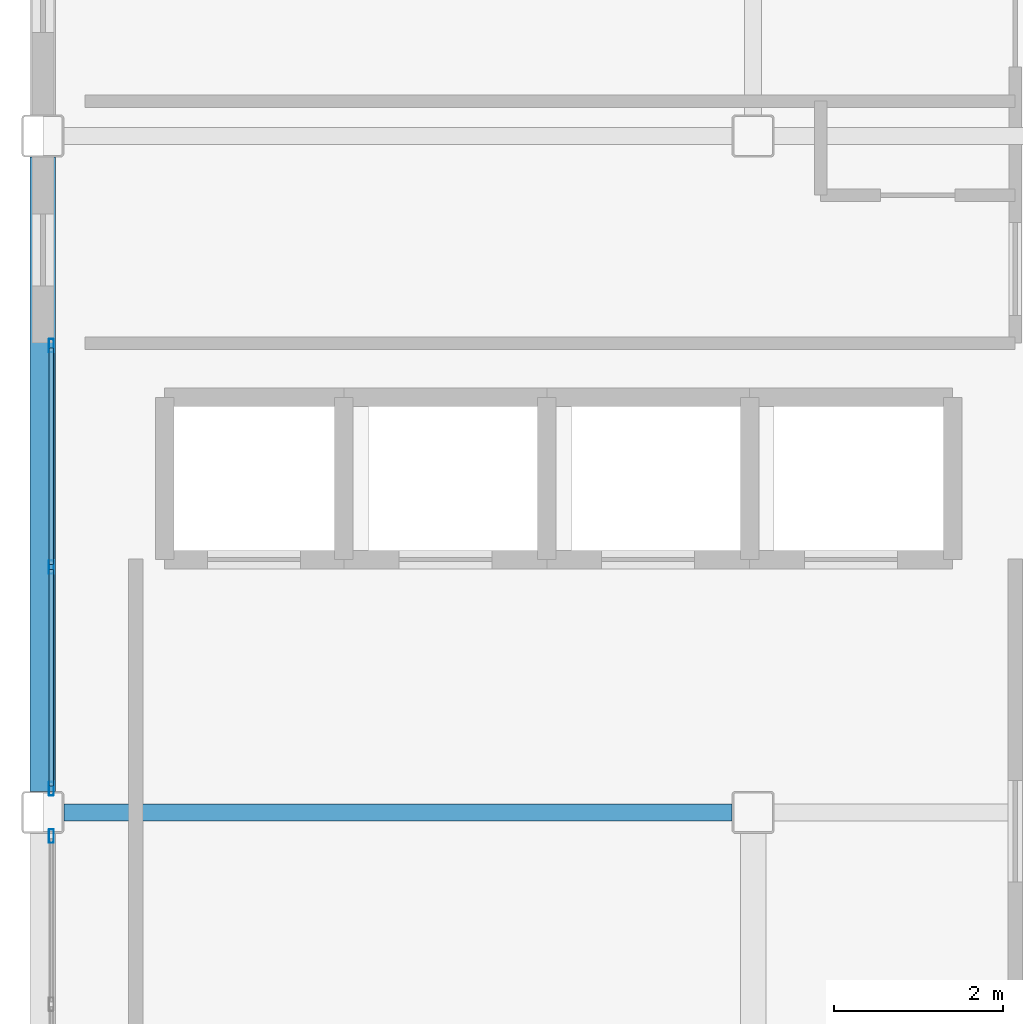
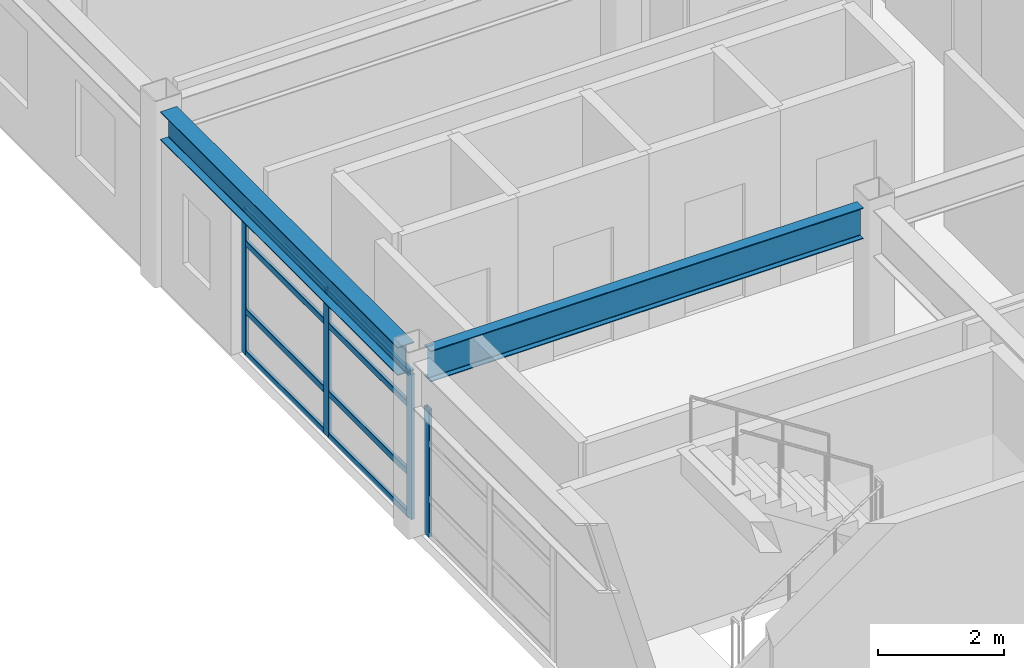
# One storey, part 14 of 33: 12 members, 2 beams, 2 elements without a shape of their own.
"""IFC4 building model written with IfcOpenShell, lengths in metres."""

from ifc_helpers import new_model, si_unit, direction, frame, origin, origin_2d, place, context, subcontext, project, spatial, hollow_rectangle, i_section, extrude, material, layer, layer_set, material_profile, profile_set, type_object, element, aggregate, save


model = new_model("IFC4")

# Units and contexts
model_context = context("Model", 3, precision=1e-05, world=origin(), true_north=direction((0.0, 1.0)))
body_context = subcontext(model_context, "Body", "Model", "MODEL_VIEW")
ifc_project = project(units=[si_unit("LENGTHUNIT", "METRE"), si_unit("AREAUNIT", "SQUARE_METRE"), si_unit("VOLUMEUNIT", "CUBIC_METRE"), si_unit("PLANEANGLEUNIT", "RADIAN"), si_unit("MASSUNIT", "GRAM", prefix="KILO")], contexts=[model_context])

# Site, building, storey
site_placement = place(None, origin())
site = spatial("IfcSite", under=ifc_project, at=site_placement, CompositionType="ELEMENT")
building_placement = place(site_placement, origin())
building = spatial("IfcBuilding", under=site, at=building_placement, Name="Kazehara Bluff Congress Hotel", CompositionType="ELEMENT")
storey_placement = place(building_placement, frame((0.0, 0.0, 39.0)))
storey = spatial("IfcBuildingStorey", under=building, at=storey_placement, Name="L09", CompositionType="ELEMENT", Elevation=39.0)

# Curtain wall, member
ifc_material_1 = material(Name="Anodised aluminium", Category="aluminium")
ifc_layer_1 = layer(ifc_material_1, 0.159912109375)
ifc_layer_set_1 = layer_set([ifc_layer_1], Name="Anodised aluminium")
curtain_wall_type_1 = type_object("IfcCurtainWallType", Name="TP-CW-191", PredefinedType="NOTDEFINED", material=ifc_layer_set_1)
curtain_wall_1_placement = place(storey_placement, origin())
curtain_wall_1 = element("IfcCurtainWall", 1, at=curtain_wall_1_placement, inside=storey, type_object=curtain_wall_type_1, Name="L09 curtain wall CW-191 CW-ENC-V5-L09-14380-5418", PredefinedType="NOTDEFINED")
ifc_material_2 = material(Name="Anodised aluminium", Category="aluminium")
ifc_material_profile_1 = material_profile(ifc_material_2, hollow_rectangle(XDim=0.06005859375, YDim=0.159912109375, WallThickness=0.00390625, InnerFilletRadius=0.00390625, OuterFilletRadius=0.008056640625, at=origin_2d()))
ifc_profile_set_1 = profile_set([ifc_material_profile_1], Name="Anodised aluminium")
member_type_1 = type_object("IfcMemberType", Name="TP-CWM-01", PredefinedType="MULLION", material=ifc_profile_set_1)
member_1_placement = place(storey_placement, frame((143.800048828125, 56.169921875, 0.0), z_axis=(0.0, 0.0, 1.0), x_axis=(-1.0, 0.0, 0.0)))
member_1 = element("IfcMember", 2, at=member_1_placement, type_object=member_type_1, Name="CW-191 mullion 3", PredefinedType="MULLION", context=body_context, shape_type="SweptSolid", body=[
    extrude(hollow_rectangle(XDim=0.06005859375, YDim=0.159912109375, WallThickness=0.00390625, InnerFilletRadius=0.00390625, OuterFilletRadius=0.008056640625, at=origin_2d()), origin(), (0.0, 0.0, 1.0), 2.455078125),
])
aggregate(curtain_wall_1, [member_1])

# Curtain wall, members
ifc_material_3 = material(Name="Anodised aluminium", Category="aluminium")
ifc_layer_2 = layer(ifc_material_3, 0.159912109375)
ifc_layer_set_2 = layer_set([ifc_layer_2], Name="Anodised aluminium")
curtain_wall_type_2 = type_object("IfcCurtainWallType", Name="TP-CW-192", PredefinedType="NOTDEFINED", material=ifc_layer_set_2)
curtain_wall_2_placement = place(storey_placement, origin())
curtain_wall_2 = element("IfcCurtainWall", 3, at=curtain_wall_2_placement, inside=storey, type_object=curtain_wall_type_2, Name="L09 curtain wall CW-192 CW-ENC-V5-L09-14380-5935", PredefinedType="NOTDEFINED")
member_2_placement = place(storey_placement, frame((143.800048828125, 56.72998046875, 0.0), z_axis=(0.0, 0.0, 1.0), x_axis=(-1.0, 0.0, 0.0)))
member_2 = element("IfcMember", 4, at=member_2_placement, type_object=member_type_1, Name="CW-192 mullion 1", PredefinedType="MULLION", context=body_context, shape_type="SweptSolid", body=[
    extrude(hollow_rectangle(XDim=0.06005859375, YDim=0.159912109375, WallThickness=0.00390625, InnerFilletRadius=0.00390625, OuterFilletRadius=0.008056640625, at=origin_2d()), origin(), (0.0, 0.0, 1.0), 2.804931640625),
])
member_3_placement = place(storey_placement, frame((143.800048828125, 59.35009765625, 0.0), z_axis=(0.0, 0.0, 1.0), x_axis=(-1.0, 0.0, 0.0)))
member_3 = element("IfcMember", 5, at=member_3_placement, type_object=member_type_1, Name="CW-192 mullion 2", PredefinedType="MULLION", context=body_context, shape_type="SweptSolid", body=[
    extrude(hollow_rectangle(XDim=0.06005859375, YDim=0.159912109375, WallThickness=0.00390625, InnerFilletRadius=0.00390625, OuterFilletRadius=0.008056640625, at=origin_2d()), origin(), (0.0, 0.0, 1.0), 2.804931640625),
])
member_4_placement = place(storey_placement, frame((143.800048828125, 61.969970703125, 0.0), z_axis=(0.0, 0.0, 1.0), x_axis=(-1.0, 0.0, 0.0)))
member_4 = element("IfcMember", 6, at=member_4_placement, type_object=member_type_1, Name="CW-192 mullion 3", PredefinedType="MULLION", context=body_context, shape_type="SweptSolid", body=[
    extrude(hollow_rectangle(XDim=0.06005859375, YDim=0.159912109375, WallThickness=0.00390625, InnerFilletRadius=0.00390625, OuterFilletRadius=0.008056640625, at=origin_2d()), origin(), (0.0, 0.0, 1.0), 2.804931640625),
])
ifc_material_4 = material(Name="Anodised aluminium", Category="aluminium")
ifc_material_profile_2 = material_profile(ifc_material_4, hollow_rectangle(XDim=0.06005859375, YDim=0.1201171875, WallThickness=0.00390625, InnerFilletRadius=0.00390625, OuterFilletRadius=0.008056640625, at=origin_2d()))
ifc_profile_set_2 = profile_set([ifc_material_profile_2], Name="Anodised aluminium")
member_type_2 = type_object("IfcMemberType", Name="TP-CWT-01", PredefinedType="USERDEFINED", material=ifc_profile_set_2)
member_5_placement = place(storey_placement, frame((143.800048828125, 56.760009765625, 0.030029296875), z_axis=(0.0, 1.0, 0.0), x_axis=(-1.0, 0.0, 0.0)))
member_5 = element("IfcMember", 7, at=member_5_placement, type_object=member_type_2, Name="CW-192 transom 1.1", ObjectType="TRANSOM", PredefinedType="USERDEFINED", context=body_context, shape_type="SweptSolid", body=[
    extrude(hollow_rectangle(XDim=0.06005859375, YDim=0.1201171875, WallThickness=0.00390625, InnerFilletRadius=0.00390625, OuterFilletRadius=0.008056640625, at=origin_2d()), origin(), (0.0, 0.0, 1.0), 2.56005859375),
])
member_6_placement = place(storey_placement, frame((143.800048828125, 56.760009765625, 0.840087890625), z_axis=(0.0, 1.0, 0.0), x_axis=(-1.0, 0.0, 0.0)))
member_6 = element("IfcMember", 8, at=member_6_placement, type_object=member_type_2, Name="CW-192 transom 1.2", ObjectType="TRANSOM", PredefinedType="USERDEFINED", context=body_context, shape_type="SweptSolid", body=[
    extrude(hollow_rectangle(XDim=0.06005859375, YDim=0.1201171875, WallThickness=0.00390625, InnerFilletRadius=0.00390625, OuterFilletRadius=0.008056640625, at=origin_2d()), origin(), (0.0, 0.0, 1.0), 2.56005859375),
])
member_7_placement = place(storey_placement, frame((143.800048828125, 56.760009765625, 2.155029296875), z_axis=(0.0, 1.0, 0.0), x_axis=(-1.0, 0.0, 0.0)))
member_7 = element("IfcMember", 9, at=member_7_placement, type_object=member_type_2, Name="CW-192 transom 1.3", ObjectType="TRANSOM", PredefinedType="USERDEFINED", context=body_context, shape_type="SweptSolid", body=[
    extrude(hollow_rectangle(XDim=0.06005859375, YDim=0.1201171875, WallThickness=0.00390625, InnerFilletRadius=0.00390625, OuterFilletRadius=0.008056640625, at=origin_2d()), origin(), (0.0, 0.0, 1.0), 2.56005859375),
])
member_8_placement = place(storey_placement, frame((143.800048828125, 56.760009765625, 2.77490234375), z_axis=(0.0, 1.0, 0.0), x_axis=(-1.0, 0.0, 0.0)))
member_8 = element("IfcMember", 10, at=member_8_placement, type_object=member_type_2, Name="CW-192 transom 1.4", ObjectType="TRANSOM", PredefinedType="USERDEFINED", context=body_context, shape_type="SweptSolid", body=[
    extrude(hollow_rectangle(XDim=0.06005859375, YDim=0.1201171875, WallThickness=0.00390625, InnerFilletRadius=0.00390625, OuterFilletRadius=0.008056640625, at=origin_2d()), origin(), (0.0, 0.0, 1.0), 2.56005859375),
])
member_9_placement = place(storey_placement, frame((143.800048828125, 59.3798828125, 0.030029296875), z_axis=(0.0, 1.0, 0.0), x_axis=(-1.0, 0.0, 0.0)))
member_9 = element("IfcMember", 11, at=member_9_placement, type_object=member_type_2, Name="CW-192 transom 2.1", ObjectType="TRANSOM", PredefinedType="USERDEFINED", context=body_context, shape_type="SweptSolid", body=[
    extrude(hollow_rectangle(XDim=0.06005859375, YDim=0.1201171875, WallThickness=0.00390625, InnerFilletRadius=0.00390625, OuterFilletRadius=0.008056640625, at=origin_2d()), origin(), (0.0, 0.0, 1.0), 2.56005859375),
])
member_10_placement = place(storey_placement, frame((143.800048828125, 59.3798828125, 0.840087890625), z_axis=(0.0, 1.0, 0.0), x_axis=(-1.0, 0.0, 0.0)))
member_10 = element("IfcMember", 12, at=member_10_placement, type_object=member_type_2, Name="CW-192 transom 2.2", ObjectType="TRANSOM", PredefinedType="USERDEFINED", context=body_context, shape_type="SweptSolid", body=[
    extrude(hollow_rectangle(XDim=0.06005859375, YDim=0.1201171875, WallThickness=0.00390625, InnerFilletRadius=0.00390625, OuterFilletRadius=0.008056640625, at=origin_2d()), origin(), (0.0, 0.0, 1.0), 2.56005859375),
])
member_11_placement = place(storey_placement, frame((143.800048828125, 59.3798828125, 2.155029296875), z_axis=(0.0, 1.0, 0.0), x_axis=(-1.0, 0.0, 0.0)))
member_11 = element("IfcMember", 13, at=member_11_placement, type_object=member_type_2, Name="CW-192 transom 2.3", ObjectType="TRANSOM", PredefinedType="USERDEFINED", context=body_context, shape_type="SweptSolid", body=[
    extrude(hollow_rectangle(XDim=0.06005859375, YDim=0.1201171875, WallThickness=0.00390625, InnerFilletRadius=0.00390625, OuterFilletRadius=0.008056640625, at=origin_2d()), origin(), (0.0, 0.0, 1.0), 2.56005859375),
])
member_12_placement = place(storey_placement, frame((143.800048828125, 59.3798828125, 2.77490234375), z_axis=(0.0, 1.0, 0.0), x_axis=(-1.0, 0.0, 0.0)))
member_12 = element("IfcMember", 14, at=member_12_placement, type_object=member_type_2, Name="CW-192 transom 2.4", ObjectType="TRANSOM", PredefinedType="USERDEFINED", context=body_context, shape_type="SweptSolid", body=[
    extrude(hollow_rectangle(XDim=0.06005859375, YDim=0.1201171875, WallThickness=0.00390625, InnerFilletRadius=0.00390625, OuterFilletRadius=0.008056640625, at=origin_2d()), origin(), (0.0, 0.0, 1.0), 2.56005859375),
])
aggregate(curtain_wall_2, [member_2, member_3, member_4, member_5, member_6, member_7, member_8, member_9, member_10, member_11, member_12])

# Beams
ifc_material_5 = material(Name="Steel SN490B", Category="steel")
ifc_material_profile_3 = material_profile(ifc_material_5, i_section(OverallWidth=0.199951171875, OverallDepth=0.60009765625, WebThickness=0.010986328125, FlangeThickness=0.01708984375, FilletRadius=0.012939453125, at=origin_2d()))
ifc_profile_set_3 = profile_set([ifc_material_profile_3], Name="Steel SN490B")
beam_type_1 = type_object("IfcBeamType", Name="TP-G-02", PredefinedType="BEAM", material=ifc_profile_set_3)
beam_1_placement = place(storey_placement, frame((143.949951171875, 56.449951171875, 3.080078125), z_axis=(1.0, 0.0, 0.0), x_axis=(0.0, 1.0, 0.0)))
element("IfcBeam", 15, at=beam_1_placement, inside=storey, type_object=beam_type_1, Name="L09 girder G-02 52", PredefinedType="BEAM", context=body_context, shape_type="SweptSolid", body=[
    extrude(i_section(OverallWidth=0.199951171875, OverallDepth=0.60009765625, WebThickness=0.010986328125, FlangeThickness=0.01708984375, FilletRadius=0.012939453125, at=origin_2d()), origin(), (0.0, 0.0, 1.0), 7.900146484375),
])
ifc_material_6 = material(Name="Steel SN490B", Category="steel")
ifc_material_profile_4 = material_profile(ifc_material_6, i_section(OverallWidth=0.300048828125, OverallDepth=0.550048828125, WebThickness=0.010986328125, FlangeThickness=0.01806640625, FilletRadius=0.012939453125, at=origin_2d()))
ifc_profile_set_4 = profile_set([ifc_material_profile_4], Name="Steel SN490B")
beam_type_2 = type_object("IfcBeamType", Name="TP-SP-01", PredefinedType="SPANDREL", material=ifc_profile_set_4)
beam_2_placement = place(storey_placement, frame((143.699951171875, 56.699951171875, 3.10498046875), z_axis=(0.0, 1.0, 0.0), x_axis=(-1.0, 0.0, 0.0)))
element("IfcBeam", 16, at=beam_2_placement, inside=storey, type_object=beam_type_2, Name="L09 girder SP-01 6", PredefinedType="SPANDREL", context=body_context, shape_type="SweptSolid", body=[
    extrude(i_section(OverallWidth=0.300048828125, OverallDepth=0.550048828125, WebThickness=0.010986328125, FlangeThickness=0.01806640625, FilletRadius=0.012939453125, at=origin_2d()), origin(), (0.0, 0.0, 1.0), 7.5),
])

save(model, "model.ifc")
